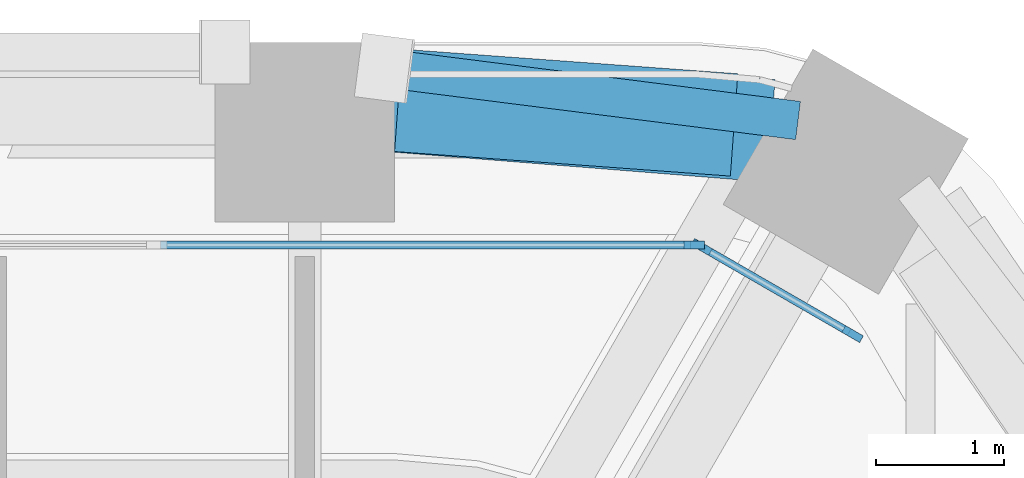
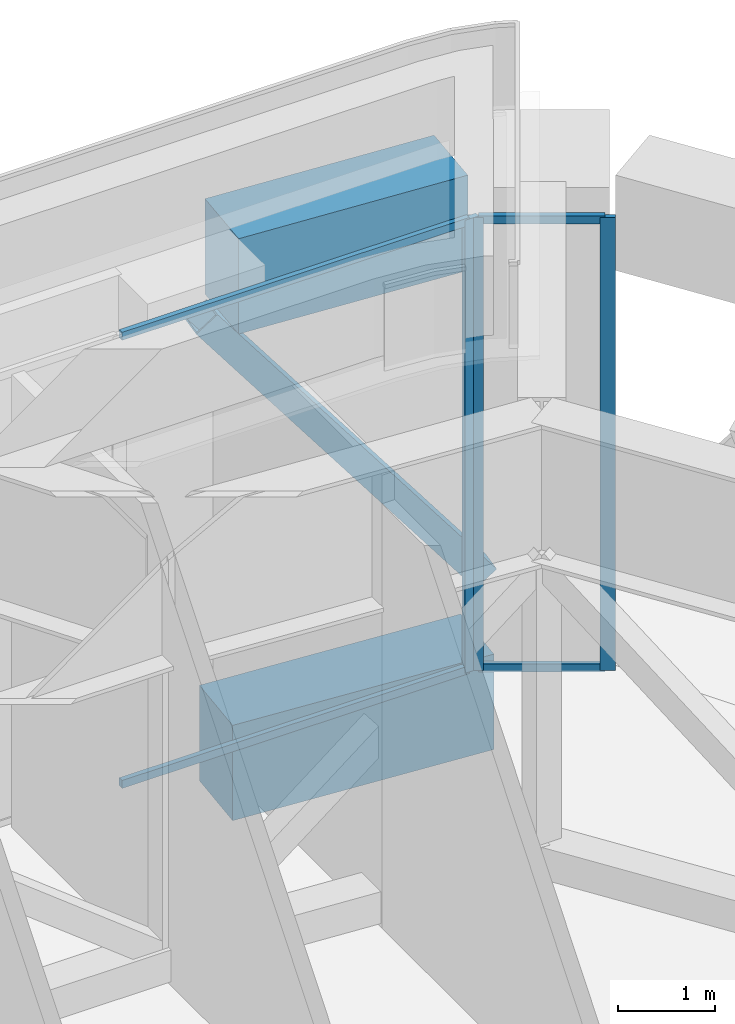
# One storey, part 15 of 35: 8 members, 2 beams, 2 elements without a shape of their own.
"""IFC4 building model written with IfcOpenShell, lengths in metres."""

from ifc_helpers import new_model, si_unit, direction, frame, origin, origin_2d, place, context, subcontext, project, spatial, rectangle, hollow_rectangle, extrude, material, material_profile, profile_set, type_object, element, aggregate, save


model = new_model("IFC4")

# Units and contexts
model_context = context("Model", 3, precision=1e-05, world=origin(), true_north=direction((0.0, 1.0)))
body_context = subcontext(model_context, "Body", "Model", "MODEL_VIEW")
ifc_project = project(units=[si_unit("LENGTHUNIT", "METRE"), si_unit("AREAUNIT", "SQUARE_METRE"), si_unit("VOLUMEUNIT", "CUBIC_METRE"), si_unit("PLANEANGLEUNIT", "RADIAN"), si_unit("MASSUNIT", "GRAM", prefix="KILO")], contexts=[model_context])

# Site, building, storey
site_placement = place(None, origin())
site = spatial("IfcSite", under=ifc_project, at=site_placement, CompositionType="ELEMENT")
building_placement = place(site_placement, origin())
building = spatial("IfcBuilding", under=site, at=building_placement, Name="Kolab Exchange Tower", CompositionType="ELEMENT")
storey_placement = place(building_placement, frame((0.0, 0.0, 71.89990234375)))
storey = spatial("IfcBuildingStorey", under=building, at=storey_placement, Name="L13", CompositionType="ELEMENT", Elevation=71.89990234375)

# Member
ifc_material_1 = material(Name="Steel S355", Category="steel")
ifc_material_profile_1 = material_profile(ifc_material_1, hollow_rectangle(XDim=0.300048828125, YDim=0.300048828125, WallThickness=0.01611328125, at=origin_2d()), Name="HSS300X300X16")
ifc_profile_set_1 = profile_set([ifc_material_profile_1], Name="Steel S355")
member_type_1 = type_object("IfcMemberType", Name="BELT TRUSS BRACE HSS300X300X16", PredefinedType="BRACE", material=ifc_profile_set_1)
member_1_placement = place(storey_placement, frame((15.029296875, 33.052734375, 4.4501953125), z_axis=(0.605882230288, -0.076660116745, -0.791852227074), x_axis=(0.125525655119, 0.992090373861, 0.0)))
element("IfcMember", 1, at=member_1_placement, inside=storey, type_object=member_type_1, Name="mem/L13/fb/F1-08", PredefinedType="BRACE", context=body_context, shape_type="SweptSolid", body=[
    extrude(hollow_rectangle(XDim=0.300048828125, YDim=0.300048828125, WallThickness=0.01611328125, at=origin_2d()), origin(), (0.0, 0.0, 1.0), 5.11474609375),
])

# Beams
ifc_material_2 = material(Name="Concrete C80/95", Category="concrete")
ifc_material_profile_2 = material_profile(ifc_material_2, rectangle(XDim=0.800048828125, YDim=1.199951171875, at=origin_2d()), Name="RC800X1200")
ifc_profile_set_2 = profile_set([ifc_material_profile_2], Name="Concrete C80/95")
beam_type = type_object("IfcBeamType", Name="SPANDREL BEAM 800X1200 C80/95", PredefinedType="BEAM", material=ifc_profile_set_2)
beam_1_placement = place(storey_placement, frame((15.06005859375, 32.802734375, -0.89990234375), z_axis=(0.996833978278, -0.07951112973, 0.0), x_axis=(0.07951112973, 0.996833978278, 0.0)))
element("IfcBeam", 2, at=beam_1_placement, inside=storey, type_object=beam_type, Name="beam/L13/sp/F1-08", PredefinedType="BEAM", context=body_context, shape_type="SweptSolid", body=[
    extrude(rectangle(XDim=0.800048828125, YDim=1.199951171875, at=origin_2d()), origin(), (0.0, 0.0, 1.0), 2.984619140625),
])
beam_2_placement = place(storey_placement, frame((15.129150390625, 32.802978515625, 5.2001953125), z_axis=(0.997338344105, -0.072912463799, 0.0), x_axis=(0.072912463799, 0.997338344105, 0.0)))
element("IfcBeam", 3, at=beam_2_placement, inside=storey, type_object=beam_type, Name="beam/L13/cp/F1-08", PredefinedType="BEAM", context=body_context, shape_type="SweptSolid", body=[
    extrude(rectangle(XDim=0.800048828125, YDim=1.199951171875, at=origin_2d()), origin(), (0.0, 0.0, 1.0), 2.625244140625),
])

# Curtain wall, member
ifc_material_3 = material(Name="Aluminium EN AW-6063 T6", Category="aluminium")
curtain_wall_type = type_object("IfcCurtainWallType", Name="UNITISED LOW ZONE BELT CURTAIN WALL", PredefinedType="NOTDEFINED", material=ifc_material_3)
curtain_wall_1_placement = place(storey_placement, origin())
curtain_wall_1 = element("IfcCurtainWall", 4, at=curtain_wall_1_placement, inside=storey, type_object=curtain_wall_type, Name="cw/L13/F1-2", PredefinedType="NOTDEFINED")
ifc_material_profile_3 = material_profile(ifc_material_3, rectangle(XDim=0.06005859375, YDim=0.159912109375, at=origin_2d()), Name="RECT 60X160")
ifc_profile_set_3 = profile_set([ifc_material_profile_3], Name="Aluminium EN AW-6063 T6")
member_type_2 = type_object("IfcMemberType", Name="UNITISED LOW ZONE BELT MULLION 60 X 160", PredefinedType="MULLION", material=ifc_profile_set_3)
member_2_placement = place(storey_placement, frame((17.43798828125, 31.67529296875, 0.0), z_axis=(0.0, 0.0, 1.0), x_axis=(0.0, 1.0, 0.0)))
member_2 = element("IfcMember", 5, at=member_2_placement, type_object=member_type_2, Name="CW9 mullion 4", PredefinedType="MULLION", context=body_context, shape_type="SweptSolid", body=[
    extrude(rectangle(XDim=0.06005859375, YDim=0.159912109375, at=origin_2d()), origin(), (0.0, 0.0, 1.0), 5.7001953125),
])

# Curtain wall, members
curtain_wall_2_placement = place(storey_placement, origin())
curtain_wall_2 = element("IfcCurtainWall", 6, at=curtain_wall_2_placement, inside=storey, type_object=curtain_wall_type, Name="cw/L13/F1F2-corner", PredefinedType="NOTDEFINED")
member_3_placement = place(storey_placement, frame((17.493896484375, 31.660400390625, 0.0), z_axis=(0.0, 0.0, 1.0), x_axis=(0.50000002237, 0.866025390869, 0.0)))
member_3 = element("IfcMember", 7, at=member_3_placement, type_object=member_type_2, Name="CW9 mullion 1", PredefinedType="MULLION", context=body_context, shape_type="SweptSolid", body=[
    extrude(rectangle(XDim=0.06005859375, YDim=0.159912109375, at=origin_2d()), origin(), (0.0, 0.0, 1.0), 5.7001953125),
])
member_4_placement = place(storey_placement, frame((18.671630859375, 30.98046875, 0.0), z_axis=(0.0, 0.0, 1.0), x_axis=(0.50000002237, 0.866025390869, 0.0)))
member_4 = element("IfcMember", 8, at=member_4_placement, type_object=member_type_2, Name="CW9 mullion 2", PredefinedType="MULLION", context=body_context, shape_type="SweptSolid", body=[
    extrude(rectangle(XDim=0.06005859375, YDim=0.159912109375, at=origin_2d()), origin(), (0.0, 0.0, 1.0), 5.7001953125),
])

# Member
ifc_material_profile_4 = material_profile(ifc_material_3, rectangle(XDim=0.06005859375, YDim=0.10009765625, at=origin_2d()), Name="RECT 60X100")
ifc_profile_set_4 = profile_set([ifc_material_profile_4], Name="Aluminium EN AW-6063 T6")
member_type_3 = type_object("IfcMemberType", Name="UNITISED LOW ZONE BELT TRANSOM 60 X 100", PredefinedType="USERDEFINED", material=ifc_profile_set_4)
member_5_placement = place(storey_placement, frame((13.275390625, 31.67529296875, 0.030029296875), z_axis=(1.0, 0.0, 0.0), x_axis=(0.0, 1.0, 0.0)))
member_5 = element("IfcMember", 9, at=member_5_placement, type_object=member_type_3, Name="CW9 transom 3.1", ObjectType="TRANSOM", PredefinedType="USERDEFINED", context=body_context, shape_type="SweptSolid", body=[
    extrude(rectangle(XDim=0.06005859375, YDim=0.10009765625, at=origin_2d()), origin(), (0.0, 0.0, 1.0), 4.132568359375),
])

member_6_placement = place(storey_placement, frame((13.275390625, 31.67529296875, 5.670166015625), z_axis=(1.0, 0.0, 0.0), x_axis=(0.0, 1.0, 0.0)))
member_6 = element("IfcMember", 10, at=member_6_placement, type_object=member_type_3, Name="CW9 transom 3.2", ObjectType="TRANSOM", PredefinedType="USERDEFINED", context=body_context, shape_type="SweptSolid", body=[
    extrude(rectangle(XDim=0.06005859375, YDim=0.10009765625, at=origin_2d()), origin(), (0.0, 0.0, 1.0), 4.132568359375),
])

aggregate(curtain_wall_1, [member_2, member_5, member_6])

member_7_placement = place(storey_placement, frame((17.52001953125, 31.645263671875, 0.030029296875), z_axis=(0.86603858612, -0.49997716683, 0.0), x_axis=(0.49997716683, 0.86603858612, 0.0)))
member_7 = element("IfcMember", 11, at=member_7_placement, type_object=member_type_3, Name="CW9 transom 1.1", ObjectType="TRANSOM", PredefinedType="USERDEFINED", context=body_context, shape_type="SweptSolid", body=[
    extrude(rectangle(XDim=0.06005859375, YDim=0.10009765625, at=origin_2d()), origin(), (0.0, 0.0, 1.0), 1.2998046875),
])

member_8_placement = place(storey_placement, frame((17.52001953125, 31.645263671875, 5.670166015625), z_axis=(0.86603858612, -0.49997716683, 0.0), x_axis=(0.49997716683, 0.86603858612, 0.0)))
member_8 = element("IfcMember", 12, at=member_8_placement, type_object=member_type_3, Name="CW9 transom 1.2", ObjectType="TRANSOM", PredefinedType="USERDEFINED", context=body_context, shape_type="SweptSolid", body=[
    extrude(rectangle(XDim=0.06005859375, YDim=0.10009765625, at=origin_2d()), origin(), (0.0, 0.0, 1.0), 1.2998046875),
])

aggregate(curtain_wall_2, [member_3, member_4, member_7, member_8])

save(model, "model.ifc")
